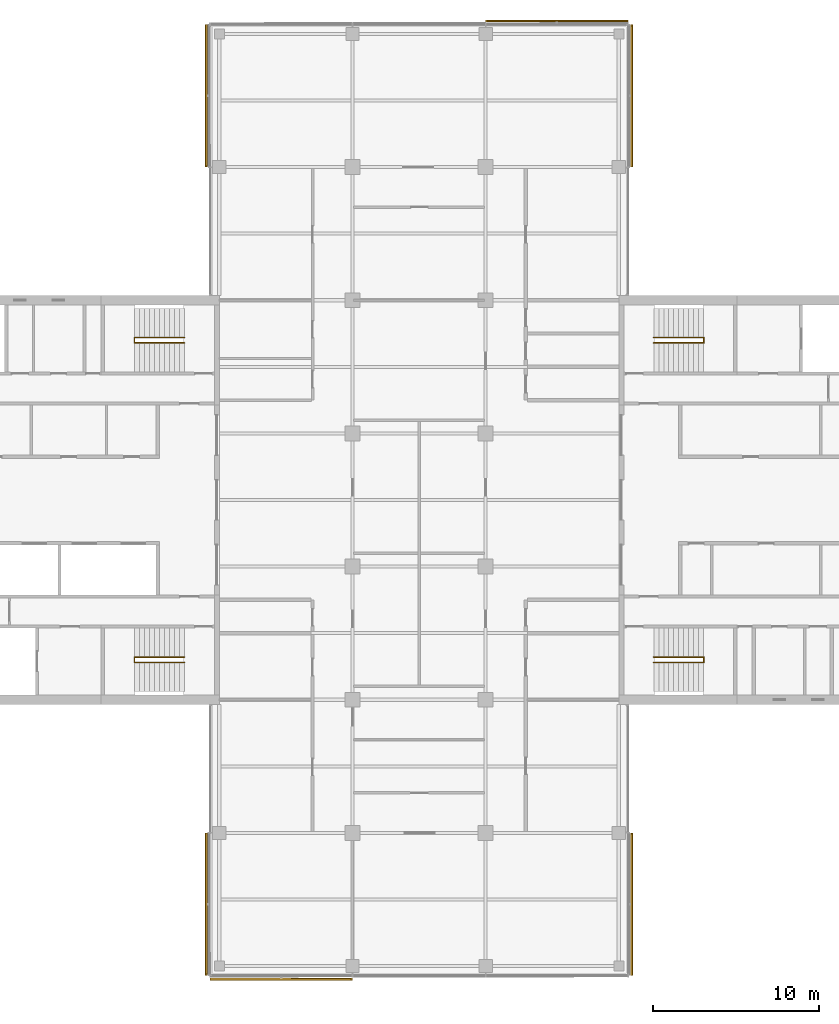
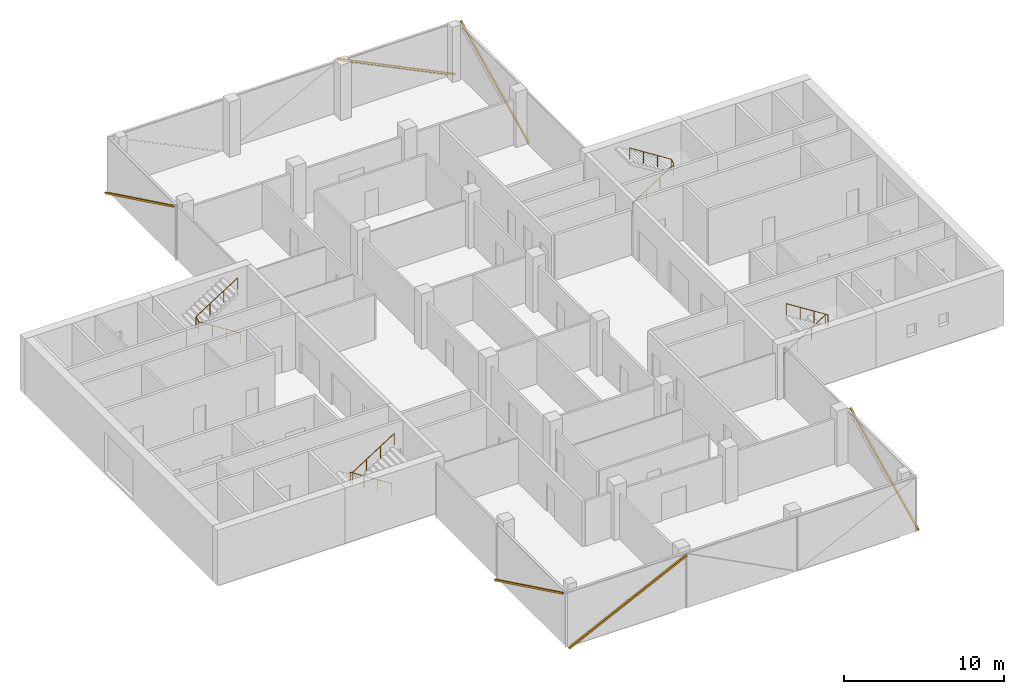
# One storey, part 16 of 16: 6 shading devices, 4 railings, 6 elements without a shape of their own.
"""IFC4 building model written with IfcOpenShell, lengths in metres."""

from ifc_helpers import new_model, si_unit, direction, frame, origin, origin_2d, place, context, subcontext, project, spatial, rectangle, circle, extrude, material, material_profile, profile_set, type_object, element, aggregate, save


model = new_model("IFC4")

# Units and contexts
model_context = context("Model", 3, precision=1e-05, world=origin(), true_north=direction((0.0, 1.0)))
body_context = subcontext(model_context, "Body", "Model", "MODEL_VIEW")
ifc_project = project(units=[si_unit("LENGTHUNIT", "METRE"), si_unit("AREAUNIT", "SQUARE_METRE"), si_unit("VOLUMEUNIT", "CUBIC_METRE"), si_unit("PLANEANGLEUNIT", "RADIAN"), si_unit("MASSUNIT", "GRAM", prefix="KILO")], contexts=[model_context])

# Site, building, storey
site_placement = place(None, origin())
site = spatial("IfcSite", under=ifc_project, at=site_placement, CompositionType="ELEMENT")
building_placement = place(site_placement, origin())
building = spatial("IfcBuilding", under=site, at=building_placement, Name="Crosswind Convention Tower", CompositionType="ELEMENT")
storey_placement = place(building_placement, frame((0.0, 0.0, 216.699951171875)))
storey = spatial("IfcBuildingStorey", under=building, at=storey_placement, Name="L46", CompositionType="ELEMENT", Elevation=216.699951171875)

# Railings
ifc_material_1 = material(Name="Stainless steel", Category="steel")
railing_type = type_object("IfcRailingType", Name="Stair handrail 900", PredefinedType="HANDRAIL", material=ifc_material_1)
railing_1_placement = place(storey_placement, frame((139.10009765625, 109.43994140625, 0.19091796875)))
element("IfcRailing", 1, at=railing_1_placement, inside=storey, type_object=railing_type, Name="Stair ST1 handrail L46", PredefinedType="HANDRAIL", context=body_context, shape_type="SweptSolid", body=[
    extrude(circle(Radius=0.02392578125, at=origin_2d()), frame((0.0, 0.0, 0.8759765625), z_axis=(0.843650179428, 0.0, 0.536893261973), x_axis=(0.0, 1.0, 0.0)), (0.0, 0.0, 1.0), 3.555908203125),
    extrude(circle(Radius=0.02392578125, at=origin_2d()), frame((3.0, 0.0, 2.78515625), z_axis=(0.0, 0.858819504967, 0.512278301208), x_axis=(-1.0, 0.0, 0.0)), (0.0, 0.0, 1.0), 0.372802734375),
    extrude(circle(Radius=0.02392578125, at=origin_2d()), frame((3.0, 0.320068359375, 2.97607421875), z_axis=(-0.843681277094, 0.0, 0.536844393359), x_axis=(0.0, -1.0, 0.0)), (0.0, 0.0, 1.0), 3.555908203125),
    extrude(circle(Radius=0.02099609375, at=origin_2d()), origin(), (0.0, 0.0, 1.0), 0.851806640625),
    extrude(circle(Radius=0.02099609375, at=origin_2d()), frame((1.0, 0.0, 0.636474609375)), (0.0, 0.0, 1.0), 0.851806640625),
    extrude(circle(Radius=0.02099609375, at=origin_2d()), frame((2.0, 0.0, 1.272705078125)), (0.0, 0.0, 1.0), 0.851806640625),
    extrude(circle(Radius=0.02099609375, at=origin_2d()), frame((3.0, 0.0, 1.9091796875)), (0.0, 0.0, 1.0), 0.851806640625),
    extrude(circle(Radius=0.02099609375, at=origin_2d()), frame((3.0, 0.320068359375, 2.10009765625)), (0.0, 0.0, 1.0), 0.851806640625),
    extrude(circle(Radius=0.02099609375, at=origin_2d()), frame((2.0, 0.320068359375, 2.736328125)), (0.0, 0.0, 1.0), 0.851806640625),
    extrude(circle(Radius=0.02099609375, at=origin_2d()), frame((1.0, 0.320068359375, 3.372802734375)), (0.0, 0.0, 1.0), 0.851806640625),
    extrude(circle(Radius=0.02099609375, at=origin_2d()), frame((0.0, 0.320068359375, 4.009033203125)), (0.0, 0.0, 1.0), 0.851806640625),
])
railing_2_placement = place(storey_placement, frame((139.10009765625, 90.56005859375, 0.19091796875)))
element("IfcRailing", 2, at=railing_2_placement, inside=storey, type_object=railing_type, Name="Stair ST2 handrail L46", PredefinedType="HANDRAIL", context=body_context, shape_type="SweptSolid", body=[
    extrude(circle(Radius=0.02392578125, at=origin_2d()), frame((0.0, 0.0, 0.8759765625), z_axis=(0.843650179428, 0.0, 0.536893261973), x_axis=(0.0, 1.0, 0.0)), (0.0, 0.0, 1.0), 3.555908203125),
    extrude(circle(Radius=0.02392578125, at=origin_2d()), frame((3.0, 0.0, 2.78515625), z_axis=(0.0, -0.858819504967, 0.512278301208), x_axis=(1.0, 0.0, 0.0)), (0.0, 0.0, 1.0), 0.372802734375),
    extrude(circle(Radius=0.02392578125, at=origin_2d()), frame((3.0, -0.320068359375, 2.97607421875), z_axis=(-0.843681277094, 0.0, 0.536844393359), x_axis=(0.0, -1.0, 0.0)), (0.0, 0.0, 1.0), 3.555908203125),
    extrude(circle(Radius=0.02099609375, at=origin_2d()), origin(), (0.0, 0.0, 1.0), 0.851806640625),
    extrude(circle(Radius=0.02099609375, at=origin_2d()), frame((1.0, 0.0, 0.636474609375)), (0.0, 0.0, 1.0), 0.851806640625),
    extrude(circle(Radius=0.02099609375, at=origin_2d()), frame((2.0, 0.0, 1.272705078125)), (0.0, 0.0, 1.0), 0.851806640625),
    extrude(circle(Radius=0.02099609375, at=origin_2d()), frame((3.0, 0.0, 1.9091796875)), (0.0, 0.0, 1.0), 0.851806640625),
    extrude(circle(Radius=0.02099609375, at=origin_2d()), frame((3.0, -0.320068359375, 2.10009765625)), (0.0, 0.0, 1.0), 0.851806640625),
    extrude(circle(Radius=0.02099609375, at=origin_2d()), frame((2.0, -0.320068359375, 2.736328125)), (0.0, 0.0, 1.0), 0.851806640625),
    extrude(circle(Radius=0.02099609375, at=origin_2d()), frame((1.0, -0.320068359375, 3.372802734375)), (0.0, 0.0, 1.0), 0.851806640625),
    extrude(circle(Radius=0.02099609375, at=origin_2d()), frame((0.0, -0.320068359375, 4.009033203125)), (0.0, 0.0, 1.0), 0.851806640625),
])
railing_3_placement = place(storey_placement, frame((110.89990234375, 90.56005859375, 0.19091796875)))
element("IfcRailing", 3, at=railing_3_placement, inside=storey, type_object=railing_type, Name="Stair ST3 handrail L46", PredefinedType="HANDRAIL", context=body_context, shape_type="SweptSolid", body=[
    extrude(circle(Radius=0.02392578125, at=origin_2d()), frame((0.0, 0.0, 0.8759765625), z_axis=(-0.843650179428, 0.0, 0.536893261973), x_axis=(0.0, -1.0, 0.0)), (0.0, 0.0, 1.0), 3.555908203125),
    extrude(circle(Radius=0.02392578125, at=origin_2d()), frame((-3.0, 0.0, 2.78515625), z_axis=(0.0, -0.858819504967, 0.512278301208), x_axis=(1.0, 0.0, 0.0)), (0.0, 0.0, 1.0), 0.372802734375),
    extrude(circle(Radius=0.02392578125, at=origin_2d()), frame((-3.0, -0.320068359375, 2.97607421875), z_axis=(0.843681277094, 0.0, 0.536844393359), x_axis=(0.0, 1.0, 0.0)), (0.0, 0.0, 1.0), 3.555908203125),
    extrude(circle(Radius=0.02099609375, at=origin_2d()), origin(), (0.0, 0.0, 1.0), 0.851806640625),
    extrude(circle(Radius=0.02099609375, at=origin_2d()), frame((-1.0, 0.0, 0.636474609375)), (0.0, 0.0, 1.0), 0.851806640625),
    extrude(circle(Radius=0.02099609375, at=origin_2d()), frame((-2.0, 0.0, 1.272705078125)), (0.0, 0.0, 1.0), 0.851806640625),
    extrude(circle(Radius=0.02099609375, at=origin_2d()), frame((-3.0, 0.0, 1.9091796875)), (0.0, 0.0, 1.0), 0.851806640625),
    extrude(circle(Radius=0.02099609375, at=origin_2d()), frame((-3.0, -0.320068359375, 2.10009765625)), (0.0, 0.0, 1.0), 0.851806640625),
    extrude(circle(Radius=0.02099609375, at=origin_2d()), frame((-2.0, -0.320068359375, 2.736328125)), (0.0, 0.0, 1.0), 0.851806640625),
    extrude(circle(Radius=0.02099609375, at=origin_2d()), frame((-1.0, -0.320068359375, 3.372802734375)), (0.0, 0.0, 1.0), 0.851806640625),
    extrude(circle(Radius=0.02099609375, at=origin_2d()), frame((0.0, -0.320068359375, 4.009033203125)), (0.0, 0.0, 1.0), 0.851806640625),
])
railing_4_placement = place(storey_placement, frame((110.89990234375, 109.43994140625, 0.19091796875)))
element("IfcRailing", 4, at=railing_4_placement, inside=storey, type_object=railing_type, Name="Stair ST4 handrail L46", PredefinedType="HANDRAIL", context=body_context, shape_type="SweptSolid", body=[
    extrude(circle(Radius=0.02392578125, at=origin_2d()), frame((0.0, 0.0, 0.8759765625), z_axis=(-0.843650179428, 0.0, 0.536893261973), x_axis=(0.0, -1.0, 0.0)), (0.0, 0.0, 1.0), 3.555908203125),
    extrude(circle(Radius=0.02392578125, at=origin_2d()), frame((-3.0, 0.0, 2.78515625), z_axis=(0.0, 0.858819504967, 0.512278301208), x_axis=(-1.0, 0.0, 0.0)), (0.0, 0.0, 1.0), 0.372802734375),
    extrude(circle(Radius=0.02392578125, at=origin_2d()), frame((-3.0, 0.320068359375, 2.97607421875), z_axis=(0.843681277094, 0.0, 0.536844393359), x_axis=(0.0, 1.0, 0.0)), (0.0, 0.0, 1.0), 3.555908203125),
    extrude(circle(Radius=0.02099609375, at=origin_2d()), origin(), (0.0, 0.0, 1.0), 0.851806640625),
    extrude(circle(Radius=0.02099609375, at=origin_2d()), frame((-1.0, 0.0, 0.636474609375)), (0.0, 0.0, 1.0), 0.851806640625),
    extrude(circle(Radius=0.02099609375, at=origin_2d()), frame((-2.0, 0.0, 1.272705078125)), (0.0, 0.0, 1.0), 0.851806640625),
    extrude(circle(Radius=0.02099609375, at=origin_2d()), frame((-3.0, 0.0, 1.9091796875)), (0.0, 0.0, 1.0), 0.851806640625),
    extrude(circle(Radius=0.02099609375, at=origin_2d()), frame((-3.0, 0.320068359375, 2.10009765625)), (0.0, 0.0, 1.0), 0.851806640625),
    extrude(circle(Radius=0.02099609375, at=origin_2d()), frame((-2.0, 0.320068359375, 2.736328125)), (0.0, 0.0, 1.0), 0.851806640625),
    extrude(circle(Radius=0.02099609375, at=origin_2d()), frame((-1.0, 0.320068359375, 3.372802734375)), (0.0, 0.0, 1.0), 0.851806640625),
    extrude(circle(Radius=0.02099609375, at=origin_2d()), frame((0.0, 0.320068359375, 4.009033203125)), (0.0, 0.0, 1.0), 0.851806640625),
])

# Curtain wall, shading device
ifc_material_2 = material(Name="Aluminium unitised curtain wall", Category="aluminium")
curtain_wall_type = type_object("IfcCurtainWallType", Name="OFFICE UNITISED WALL 220", PredefinedType="USERDEFINED", material=ifc_material_2)
curtain_wall_1_placement = place(storey_placement, origin())
curtain_wall_1 = element("IfcCurtainWall", 5, at=curtain_wall_1_placement, inside=storey, type_object=curtain_wall_type, Name="CW3 L46 N-E 1", ObjectType="UNITISED", PredefinedType="USERDEFINED")
ifc_material_3 = material(Name="Extruded terracotta", Category="masonry")
ifc_material_profile = material_profile(ifc_material_3, rectangle(XDim=0.110107421875, YDim=0.1298828125, at=origin_2d()), Name="TC 110X130")
ifc_profile_set = profile_set([ifc_material_profile], Name="Extruded terracotta")
shading_device_type = type_object("IfcShadingDeviceType", Name="TERRACOTTA BAGUETTE 130X110", PredefinedType="USERDEFINED", material=ifc_profile_set)
shading_device_1_placement = place(storey_placement, frame((137.781005859375, 120.034912109375, -0.300048828125), z_axis=(0.0, 0.899240862228, 0.437453850936), x_axis=(-1.0, 0.0, 0.0)))
shading_device_1 = element("IfcShadingDevice", 6, at=shading_device_1_placement, type_object=shading_device_type, Name="CW3 terracotta baguette 1", ObjectType="BAGUETTE", PredefinedType="USERDEFINED", context=body_context, shape_type="SweptSolid", body=[
    extrude(rectangle(XDim=0.110107421875, YDim=0.1298828125, at=origin_2d()), origin(), (0.0, 0.0, 1.0), 9.44140625),
])
aggregate(curtain_wall_1, [shading_device_1])

curtain_wall_2_placement = place(storey_placement, origin())
curtain_wall_2 = element("IfcCurtainWall", 7, at=curtain_wall_2_placement, inside=storey, type_object=curtain_wall_type, Name="CW3 L46 N-TIP 1", ObjectType="UNITISED", PredefinedType="USERDEFINED")
shading_device_2_placement = place(storey_placement, frame((137.52490234375, 128.781005859375, -0.300048828125), z_axis=(-0.899240862228, 0.0, 0.437453850936), x_axis=(0.0, -1.0, 0.0)))
shading_device_2 = element("IfcShadingDevice", 8, at=shading_device_2_placement, type_object=shading_device_type, Name="CW3 terracotta baguette 1", ObjectType="BAGUETTE", PredefinedType="USERDEFINED", context=body_context, shape_type="SweptSolid", body=[
    extrude(rectangle(XDim=0.110107421875, YDim=0.1298828125, at=origin_2d()), origin(), (0.0, 0.0, 1.0), 9.44140625),
])
aggregate(curtain_wall_2, [shading_device_2])

curtain_wall_3_placement = place(storey_placement, origin())
curtain_wall_3 = element("IfcCurtainWall", 9, at=curtain_wall_3_placement, inside=storey, type_object=curtain_wall_type, Name="CW3 L46 N-W 1", ObjectType="UNITISED", PredefinedType="USERDEFINED")
shading_device_3_placement = place(storey_placement, frame((112.218994140625, 128.52490234375, -0.300048828125), z_axis=(0.0, -0.899240862228, 0.437453850936), x_axis=(1.0, 0.0, 0.0)))
shading_device_3 = element("IfcShadingDevice", 10, at=shading_device_3_placement, type_object=shading_device_type, Name="CW3 terracotta baguette 1", ObjectType="BAGUETTE", PredefinedType="USERDEFINED", context=body_context, shape_type="SweptSolid", body=[
    extrude(rectangle(XDim=0.110107421875, YDim=0.1298828125, at=origin_2d()), origin(), (0.0, 0.0, 1.0), 9.44140625),
])
aggregate(curtain_wall_3, [shading_device_3])

curtain_wall_4_placement = place(storey_placement, origin())
curtain_wall_4 = element("IfcCurtainWall", 11, at=curtain_wall_4_placement, inside=storey, type_object=curtain_wall_type, Name="CW3 L46 S-W 1", ObjectType="UNITISED", PredefinedType="USERDEFINED")
shading_device_4_placement = place(storey_placement, frame((112.218994140625, 79.965087890625, -0.300048828125), z_axis=(0.0, -0.899240862228, 0.437453850936), x_axis=(1.0, 0.0, 0.0)))
shading_device_4 = element("IfcShadingDevice", 12, at=shading_device_4_placement, type_object=shading_device_type, Name="CW3 terracotta baguette 1", ObjectType="BAGUETTE", PredefinedType="USERDEFINED", context=body_context, shape_type="SweptSolid", body=[
    extrude(rectangle(XDim=0.110107421875, YDim=0.1298828125, at=origin_2d()), origin(), (0.0, 0.0, 1.0), 9.44140625),
])
aggregate(curtain_wall_4, [shading_device_4])

curtain_wall_5_placement = place(storey_placement, origin())
curtain_wall_5 = element("IfcCurtainWall", 13, at=curtain_wall_5_placement, inside=storey, type_object=curtain_wall_type, Name="CW3 L46 S-TIP 1", ObjectType="UNITISED", PredefinedType="USERDEFINED")
shading_device_5_placement = place(storey_placement, frame((112.47509765625, 71.218994140625, -0.300048828125), z_axis=(0.899240862228, 0.0, 0.437453850936), x_axis=(0.0, 1.0, 0.0)))
shading_device_5 = element("IfcShadingDevice", 14, at=shading_device_5_placement, type_object=shading_device_type, Name="CW3 terracotta baguette 1", ObjectType="BAGUETTE", PredefinedType="USERDEFINED", context=body_context, shape_type="SweptSolid", body=[
    extrude(rectangle(XDim=0.110107421875, YDim=0.1298828125, at=origin_2d()), origin(), (0.0, 0.0, 1.0), 9.44140625),
])
aggregate(curtain_wall_5, [shading_device_5])

curtain_wall_6_placement = place(storey_placement, origin())
curtain_wall_6 = element("IfcCurtainWall", 15, at=curtain_wall_6_placement, inside=storey, type_object=curtain_wall_type, Name="CW3 L46 S-E 1", ObjectType="UNITISED", PredefinedType="USERDEFINED")
shading_device_6_placement = place(storey_placement, frame((137.781005859375, 71.47509765625, -0.300048828125), z_axis=(0.0, 0.899240862228, 0.437453850936), x_axis=(-1.0, 0.0, 0.0)))
shading_device_6 = element("IfcShadingDevice", 16, at=shading_device_6_placement, type_object=shading_device_type, Name="CW3 terracotta baguette 1", ObjectType="BAGUETTE", PredefinedType="USERDEFINED", context=body_context, shape_type="SweptSolid", body=[
    extrude(rectangle(XDim=0.110107421875, YDim=0.1298828125, at=origin_2d()), origin(), (0.0, 0.0, 1.0), 9.44140625),
])
aggregate(curtain_wall_6, [shading_device_6])

save(model, "model.ifc")
